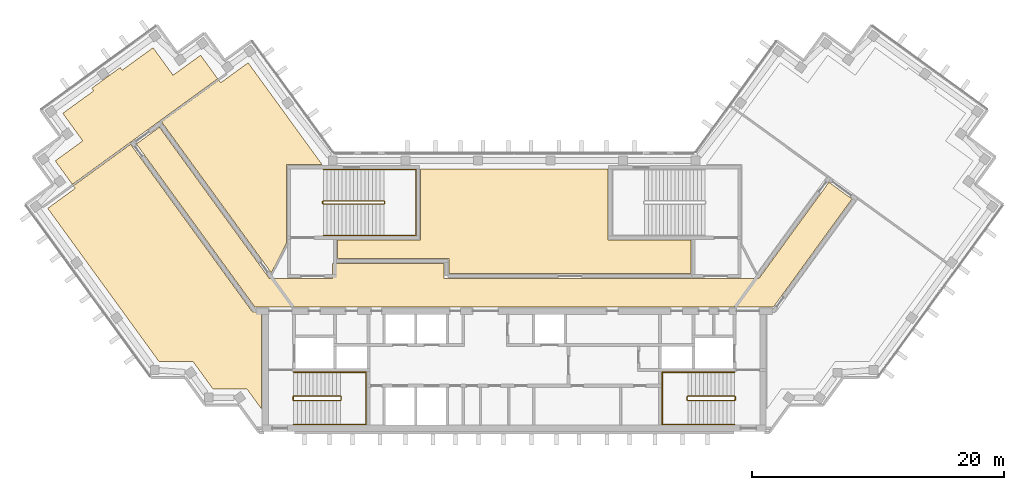
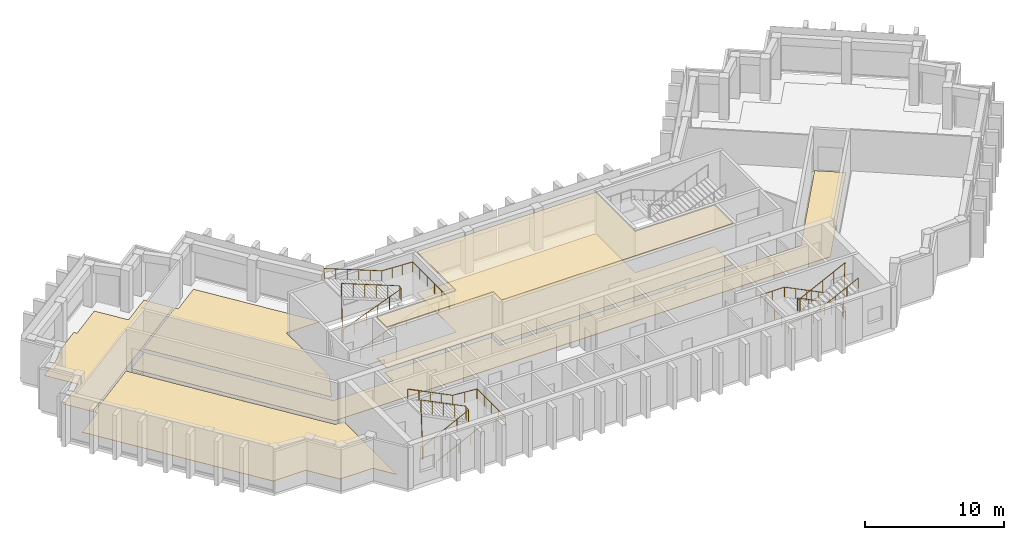
# One storey, part 8 of 9: 6 coverings, 6 railings.
"""IFC4 building model written with IfcOpenShell, lengths in metres."""

from ifc_helpers import new_model, si_unit, direction, frame, origin, origin_2d, place, context, subcontext, project, spatial, polyline, circle, outline, extrude, material, layer, layer_set, type_object, element, save


model = new_model("IFC4")

# Units and contexts
model_context = context("Model", 3, precision=1e-05, world=origin(), true_north=direction((0.0, 1.0)))
body_context = subcontext(model_context, "Body", "Model", "MODEL_VIEW")
ifc_project = project(units=[si_unit("LENGTHUNIT", "METRE"), si_unit("AREAUNIT", "SQUARE_METRE"), si_unit("VOLUMEUNIT", "CUBIC_METRE"), si_unit("PLANEANGLEUNIT", "RADIAN"), si_unit("MASSUNIT", "GRAM", prefix="KILO")], contexts=[model_context])

# Site, building, storey
site_placement = place(None, origin())
site = spatial("IfcSite", under=ifc_project, at=site_placement, CompositionType="ELEMENT")
building_placement = place(site_placement, origin())
building = spatial("IfcBuilding", under=site, at=building_placement, Name="Quipu Civic Tower", CompositionType="ELEMENT")
storey_placement = place(building_placement, frame((0.0, 0.0, 307.0)))
storey = spatial("IfcBuildingStorey", under=building, at=storey_placement, Name="L71", CompositionType="ELEMENT", Elevation=307.0)

# Coverings
ifc_material_1 = material(Name="Mineral fibre acoustic ceiling tile")
ifc_layer_1 = layer(ifc_material_1, 0.0400390625)
ifc_layer_set_1 = layer_set([ifc_layer_1], Name="Mineral fibre acoustic ceiling tile")
covering_type_1 = type_object("IfcCoveringType", Name="Acoustic ceiling tile 600 x 600", PredefinedType="CEILING", material=ifc_layer_set_1)
covering_1_placement = place(storey_placement, frame((0.0, 0.0, 3.610107421875)))
element("IfcCovering", 1, at=covering_1_placement, inside=storey, type_object=covering_type_1, Name="Acoustic ceiling tile 600 x 600", PredefinedType="CEILING", context=body_context, shape_type="SweptSolid", body=[
    extrude(outline(polyline([(-14.030029296875, 2.719970703125), (-14.030029296875, 4.179931640625), (-7.430908203125, 4.180908203125), (-7.429931640625, 9.830078125), (7.429931640625, 9.830078125), (7.430908203125, 4.179931640625), (14.030029296875, 4.179931640625), (14.030029296875, 1.52001953125), (-5.179931640625, 1.52001953125), (-5.181884765625, 2.719970703125), (-14.030029296875, 2.719970703125)])), origin(), (0.0, 0.0, 1.0), 0.039794921875),
])
ifc_material_2 = material(Name="Carpet tile on raised access floor")
ifc_layer_2 = layer(ifc_material_2, 0.02001953125)
ifc_layer_set_2 = layer_set([ifc_layer_2], Name="Carpet tile on raised access floor")
covering_type_2 = type_object("IfcCoveringType", Name="Carpet tile floor finish 20", PredefinedType="FLOORING", material=ifc_layer_set_2)
covering_2_placement = place(storey_placement, origin())
element("IfcCovering", 2, at=covering_2_placement, inside=storey, type_object=covering_type_2, Name="Carpet tile floor finish 20", PredefinedType="FLOORING", context=body_context, shape_type="SweptSolid", body=[
    extrude(outline(polyline([(-14.030029296875, 2.719970703125), (-14.030029296875, 4.179931640625), (-7.430908203125, 4.180908203125), (-7.429931640625, 9.830078125), (7.429931640625, 9.830078125), (7.430908203125, 4.179931640625), (14.030029296875, 4.179931640625), (14.030029296875, 1.52001953125), (-5.179931640625, 1.52001953125), (-5.181884765625, 2.719970703125), (-14.030029296875, 2.719970703125)])), origin(), (0.0, 0.0, 1.0), 0.02001953125),
])
covering_3_placement = place(storey_placement, origin())
element("IfcCovering", 3, at=covering_3_placement, inside=storey, type_object=covering_type_2, Name="Carpet tile floor finish 20", PredefinedType="FLOORING", context=body_context, shape_type="SweptSolid", body=[
    extrude(outline(polyline([(-27.987060546875, 13.5791015625), (-23.447998046875, 16.876953125), (-23.299072265625, 16.676025390625), (-21.115966796875, 18.260986328125), (-15.238037109375, 10.169921875), (-18.070068359375, 10.1689453125), (-18.070068359375, 3.94189453125), (-19.27197265625, 1.583984375), (-27.987060546875, 13.5791015625)])), origin(), (0.0, 0.0, 1.0), 0.02001953125),
])
covering_4_placement = place(storey_placement, origin())
element("IfcCovering", 4, at=covering_4_placement, inside=storey, type_object=covering_type_2, Name="Carpet tile floor finish 20", PredefinedType="FLOORING", context=body_context, shape_type="SweptSolid", body=[
    extrude(outline(polyline([(-36.425048828125, 10.47705078125), (-34.240966796875, 12.06396484375), (-35.826904296875, 14.248046875), (-33.3701171875, 16.032958984375), (-33.52197265625, 16.2451171875), (-31.27099609375, 17.8798828125), (-31.116943359375, 17.6708984375), (-28.658935546875, 19.455078125), (-27.073974609375, 17.27197265625), (-24.888916015625, 18.85791015625), (-23.531005859375, 16.989013671875), (-35.068115234375, 8.60791015625), (-36.425048828125, 10.47705078125)])), origin(), (0.0, 0.0, 1.0), 0.02001953125),
])
ifc_material_3 = material(Name="Ceramic floor tile")
ifc_layer_3 = layer(ifc_material_3, 0.030029296875)
ifc_layer_set_3 = layer_set([ifc_layer_3], Name="Ceramic floor tile")
covering_type_3 = type_object("IfcCoveringType", Name="Ceramic tile floor finish 30", PredefinedType="FLOORING", material=ifc_layer_set_3)
covering_5_placement = place(storey_placement, origin())
element("IfcCovering", 5, at=covering_5_placement, inside=storey, type_object=covering_type_3, Name="Ceramic tile floor finish 30", PredefinedType="FLOORING", context=body_context, shape_type="SweptSolid", body=[
    extrude(outline(polyline([(-37.02197265625, 6.7060546875), (-34.839111328125, 8.291015625), (-34.985107421875, 8.493896484375), (-30.446044921875, 11.7919921875), (-20.77490234375, -1.51904296875), (-20.070068359375, -1.52001953125), (-20.070068359375, -9.195068359375), (-21.196044921875, -7.64599609375), (-23.89501953125, -7.64599609375), (-25.48193359375, -5.4619140625), (-28.181884765625, -5.4609375), (-37.02197265625, 6.7060546875)])), origin(), (0.0, 0.0, 1.0), 0.030029296875),
])

# Railings
ifc_material_4 = material(Name="Stainless steel", Category="steel")
railing_type_1 = type_object("IfcRailingType", Name="Stair guard 1100", PredefinedType="GUARDRAIL", material=ifc_material_4)
railing_1_placement = place(storey_placement, frame((-17.5, -8.550048828125, 0.15380859375)))
element("IfcRailing", 6, at=railing_1_placement, inside=storey, type_object=railing_type_1, Name="Stair 1 guard", PredefinedType="GUARDRAIL", context=body_context, shape_type="SweptSolid", body=[
    extrude(circle(Radius=0.02392578125, at=origin_2d()), frame((0.0, 0.0, 1.076171875), z_axis=(0.895751851347, 0.0, 0.444554407028), x_axis=(0.0, 1.0, 0.0)), (0.0, 0.0, 1.0), 4.15283203125),
    extrude(circle(Radius=0.02392578125, at=origin_2d()), frame((3.719970703125, 0.0, 2.92236328125), z_axis=(0.707106781187, 0.707106781187, 0.0), x_axis=(-0.707106781187, 0.707106781187, 0.0)), (0.0, 0.0, 1.0), 0.07080078125),
    extrude(circle(Radius=0.02392578125, at=origin_2d()), frame((3.77001953125, 0.050048828125, 2.92236328125), z_axis=(0.0, 1.0, 0.0), x_axis=(-1.0, 0.0, 0.0)), (0.0, 0.0, 1.0), 0.25),
    extrude(circle(Radius=0.02392578125, at=origin_2d()), frame((3.77001953125, 0.300048828125, 2.92236328125), z_axis=(-0.295599637079, 0.295599637079, 0.908428152975), x_axis=(-0.707106781187, -0.707106781187, 0.0)), (0.0, 0.0, 1.0), 0.16943359375),
    extrude(circle(Radius=0.02392578125, at=origin_2d()), frame((3.719970703125, 0.35009765625, 3.076171875), z_axis=(-0.895751851347, 0.0, 0.444554407028), x_axis=(0.0, -1.0, 0.0)), (0.0, 0.0, 1.0), 4.15283203125),
    extrude(circle(Radius=0.02392578125, at=origin_2d()), frame((0.0, 0.35009765625, 4.92236328125), z_axis=(-0.012476181752, -0.074796231092, -0.997120789425), x_axis=(0.986372223864, -0.164529134168, 0.0)), (0.0, 0.0, 1.0), 4.011474609375),
    extrude(circle(Radius=0.02392578125, at=origin_2d()), frame((-0.050048828125, 0.050048828125, 0.92236328125), z_axis=(0.0, 1.0, 0.0), x_axis=(-1.0, 0.0, 0.0)), (0.0, 0.0, 1.0), 0.25),
    extrude(circle(Radius=0.02099609375, at=origin_2d()), origin(), (0.0, 0.0, 1.0), 1.052001953125),
    extrude(circle(Radius=0.02099609375, at=origin_2d()), frame((0.929931640625, 0.0, 0.46142578125)), (0.0, 0.0, 1.0), 1.052001953125),
    extrude(circle(Radius=0.02099609375, at=origin_2d()), frame((1.85986328125, 0.0, 0.923095703125)), (0.0, 0.0, 1.0), 1.052001953125),
    extrude(circle(Radius=0.02099609375, at=origin_2d()), frame((2.7900390625, 0.0, 1.384765625)), (0.0, 0.0, 1.0), 1.052001953125),
    extrude(circle(Radius=0.02099609375, at=origin_2d()), frame((3.719970703125, 0.0, 1.84619140625)), (0.0, 0.0, 1.0), 1.052001953125),
    extrude(circle(Radius=0.02099609375, at=origin_2d()), frame((3.77001953125, 0.050048828125, 1.84619140625)), (0.0, 0.0, 1.0), 1.052001953125),
    extrude(circle(Radius=0.02099609375, at=origin_2d()), frame((3.77001953125, 0.300048828125, 1.84619140625)), (0.0, 0.0, 1.0), 1.052001953125),
    extrude(circle(Radius=0.02099609375, at=origin_2d()), frame((3.719970703125, 0.35009765625, 2.0)), (0.0, 0.0, 1.0), 1.052001953125),
    extrude(circle(Radius=0.02099609375, at=origin_2d()), frame((2.7900390625, 0.35009765625, 2.46142578125)), (0.0, 0.0, 1.0), 1.052001953125),
    extrude(circle(Radius=0.02099609375, at=origin_2d()), frame((1.85986328125, 0.35009765625, 2.923095703125)), (0.0, 0.0, 1.0), 1.052001953125),
    extrude(circle(Radius=0.02099609375, at=origin_2d()), frame((0.929931640625, 0.35009765625, 3.384765625)), (0.0, 0.0, 1.0), 1.052001953125),
    extrude(circle(Radius=0.02099609375, at=origin_2d()), frame((0.0, 0.35009765625, 3.84619140625)), (0.0, 0.0, 1.0), 1.052001953125),
    extrude(circle(Radius=0.02099609375, at=origin_2d()), frame((-0.012451171875, 0.275146484375, 2.84619140625)), (0.0, 0.0, 1.0), 1.052001953125),
    extrude(circle(Radius=0.02099609375, at=origin_2d()), frame((-0.02490234375, 0.2001953125, 1.84619140625)), (0.0, 0.0, 1.0), 1.052001953125),
    extrude(circle(Radius=0.02099609375, at=origin_2d()), frame((-0.03759765625, 0.125, 0.84619140625)), (0.0, 0.0, 1.0), 1.052001953125),
    extrude(circle(Radius=0.02099609375, at=origin_2d()), frame((-0.050048828125, 0.050048828125, -0.15380859375)), (0.0, 0.0, 1.0), 1.052001953125),
    extrude(circle(Radius=0.02099609375, at=origin_2d()), frame((-0.050048828125, 0.300048828125, -0.15380859375)), (0.0, 0.0, 1.0), 1.052001953125),
])
railing_2_placement = place(storey_placement, frame((17.5, -8.199951171875, 0.15380859375)))
element("IfcRailing", 7, at=railing_2_placement, inside=storey, type_object=railing_type_1, Name="Stair 2 guard", PredefinedType="GUARDRAIL", context=body_context, shape_type="SweptSolid", body=[
    extrude(circle(Radius=0.02392578125, at=origin_2d()), frame((0.0, 0.0, 1.076171875), z_axis=(-0.895751851347, 0.0, 0.444554407028), x_axis=(0.0, -1.0, 0.0)), (0.0, 0.0, 1.0), 4.15283203125),
    extrude(circle(Radius=0.02392578125, at=origin_2d()), frame((-3.719970703125, 0.0, 2.92236328125), z_axis=(-0.707106781187, -0.707106781187, 0.0), x_axis=(0.707106781187, -0.707106781187, 0.0)), (0.0, 0.0, 1.0), 0.07080078125),
    extrude(circle(Radius=0.02392578125, at=origin_2d()), frame((-3.77001953125, -0.050048828125, 2.92236328125), z_axis=(0.0, -1.0, 0.0), x_axis=(1.0, 0.0, 0.0)), (0.0, 0.0, 1.0), 0.25),
    extrude(circle(Radius=0.02392578125, at=origin_2d()), frame((-3.77001953125, -0.300048828125, 2.92236328125), z_axis=(0.295599637079, -0.295599637079, 0.908428152975), x_axis=(0.707106781187, 0.707106781187, 0.0)), (0.0, 0.0, 1.0), 0.16943359375),
    extrude(circle(Radius=0.02392578125, at=origin_2d()), frame((-3.719970703125, -0.35009765625, 3.076171875), z_axis=(0.895751851347, 0.0, 0.444554407028), x_axis=(0.0, 1.0, 0.0)), (0.0, 0.0, 1.0), 4.15283203125),
    extrude(circle(Radius=0.02392578125, at=origin_2d()), frame((0.0, -0.35009765625, 4.92236328125), z_axis=(0.012476181752, 0.074796231092, -0.997120789425), x_axis=(-0.986372223864, 0.164529134168, 0.0)), (0.0, 0.0, 1.0), 4.011474609375),
    extrude(circle(Radius=0.02392578125, at=origin_2d()), frame((0.050048828125, -0.050048828125, 0.92236328125), z_axis=(0.0, -1.0, 0.0), x_axis=(1.0, 0.0, 0.0)), (0.0, 0.0, 1.0), 0.25),
    extrude(circle(Radius=0.02099609375, at=origin_2d()), origin(), (0.0, 0.0, 1.0), 1.052001953125),
    extrude(circle(Radius=0.02099609375, at=origin_2d()), frame((-0.929931640625, 0.0, 0.46142578125)), (0.0, 0.0, 1.0), 1.052001953125),
    extrude(circle(Radius=0.02099609375, at=origin_2d()), frame((-1.85986328125, 0.0, 0.923095703125)), (0.0, 0.0, 1.0), 1.052001953125),
    extrude(circle(Radius=0.02099609375, at=origin_2d()), frame((-2.7900390625, 0.0, 1.384765625)), (0.0, 0.0, 1.0), 1.052001953125),
    extrude(circle(Radius=0.02099609375, at=origin_2d()), frame((-3.719970703125, 0.0, 1.84619140625)), (0.0, 0.0, 1.0), 1.052001953125),
    extrude(circle(Radius=0.02099609375, at=origin_2d()), frame((-3.77001953125, -0.050048828125, 1.84619140625)), (0.0, 0.0, 1.0), 1.052001953125),
    extrude(circle(Radius=0.02099609375, at=origin_2d()), frame((-3.77001953125, -0.300048828125, 1.84619140625)), (0.0, 0.0, 1.0), 1.052001953125),
    extrude(circle(Radius=0.02099609375, at=origin_2d()), frame((-3.719970703125, -0.35009765625, 2.0)), (0.0, 0.0, 1.0), 1.052001953125),
    extrude(circle(Radius=0.02099609375, at=origin_2d()), frame((-2.7900390625, -0.35009765625, 2.46142578125)), (0.0, 0.0, 1.0), 1.052001953125),
    extrude(circle(Radius=0.02099609375, at=origin_2d()), frame((-1.85986328125, -0.35009765625, 2.923095703125)), (0.0, 0.0, 1.0), 1.052001953125),
    extrude(circle(Radius=0.02099609375, at=origin_2d()), frame((-0.929931640625, -0.35009765625, 3.384765625)), (0.0, 0.0, 1.0), 1.052001953125),
    extrude(circle(Radius=0.02099609375, at=origin_2d()), frame((0.0, -0.35009765625, 3.84619140625)), (0.0, 0.0, 1.0), 1.052001953125),
    extrude(circle(Radius=0.02099609375, at=origin_2d()), frame((0.012451171875, -0.275146484375, 2.84619140625)), (0.0, 0.0, 1.0), 1.052001953125),
    extrude(circle(Radius=0.02099609375, at=origin_2d()), frame((0.02490234375, -0.2001953125, 1.84619140625)), (0.0, 0.0, 1.0), 1.052001953125),
    extrude(circle(Radius=0.02099609375, at=origin_2d()), frame((0.03759765625, -0.125, 0.84619140625)), (0.0, 0.0, 1.0), 1.052001953125),
    extrude(circle(Radius=0.02099609375, at=origin_2d()), frame((0.050048828125, -0.050048828125, -0.15380859375)), (0.0, 0.0, 1.0), 1.052001953125),
    extrude(circle(Radius=0.02099609375, at=origin_2d()), frame((0.050048828125, -0.300048828125, -0.15380859375)), (0.0, 0.0, 1.0), 1.052001953125),
])
railing_3_placement = place(storey_placement, frame((-15.14990234375, 7.050048828125, 0.11767578125)))
element("IfcRailing", 8, at=railing_3_placement, inside=storey, type_object=railing_type_1, Name="Stair 3 guard", PredefinedType="GUARDRAIL", context=body_context, shape_type="SweptSolid", body=[
    extrude(circle(Radius=0.02392578125, at=origin_2d()), frame((0.0, 0.0, 1.076171875), z_axis=(0.930970042603, 0.0, 0.365095576219), x_axis=(0.0, 1.0, 0.0)), (0.0, 0.0, 1.0), 5.15576171875),
    extrude(circle(Radius=0.02392578125, at=origin_2d()), frame((4.7998046875, 0.0, 2.95849609375), z_axis=(0.707106781187, 0.707106781187, 0.0), x_axis=(-0.707106781187, 0.707106781187, 0.0)), (0.0, 0.0, 1.0), 0.07080078125),
    extrude(circle(Radius=0.02392578125, at=origin_2d()), frame((4.849853515625, 0.050048828125, 2.95849609375), z_axis=(0.0, 1.0, 0.0), x_axis=(-1.0, 0.0, 0.0)), (0.0, 0.0, 1.0), 0.14990234375),
    extrude(circle(Radius=0.02392578125, at=origin_2d()), frame((4.849853515625, 0.199951171875, 2.95849609375), z_axis=(-0.364463019033, 0.364463019033, 0.856932561824), x_axis=(-0.707106781187, -0.707106781187, 0.0)), (0.0, 0.0, 1.0), 0.13720703125),
    extrude(circle(Radius=0.02392578125, at=origin_2d()), frame((4.7998046875, 0.25, 3.076171875), z_axis=(-0.930970042603, 0.0, 0.365095576219), x_axis=(0.0, -1.0, 0.0)), (0.0, 0.0, 1.0), 5.15576171875),
    extrude(circle(Radius=0.02392578125, at=origin_2d()), frame((0.0, 0.25, 4.95849609375), z_axis=(-0.012495627992, -0.049921557685, -0.998674970829), x_axis=(0.970072785993, -0.242814311512, 0.0)), (0.0, 0.0, 1.0), 4.00537109375),
    extrude(circle(Radius=0.02392578125, at=origin_2d()), frame((-0.050048828125, 0.050048828125, 0.95849609375), z_axis=(0.0, 1.0, 0.0), x_axis=(-1.0, 0.0, 0.0)), (0.0, 0.0, 1.0), 0.14990234375),
    extrude(circle(Radius=0.02099609375, at=origin_2d()), origin(), (0.0, 0.0, 1.0), 1.052001953125),
    extrude(circle(Radius=0.02099609375, at=origin_2d()), frame((0.9599609375, 0.0, 0.37646484375)), (0.0, 0.0, 1.0), 1.052001953125),
    extrude(circle(Radius=0.02099609375, at=origin_2d()), frame((1.919921875, 0.0, 0.7529296875)), (0.0, 0.0, 1.0), 1.052001953125),
    extrude(circle(Radius=0.02099609375, at=origin_2d()), frame((2.8798828125, 0.0, 1.12939453125)), (0.0, 0.0, 1.0), 1.052001953125),
    extrude(circle(Radius=0.02099609375, at=origin_2d()), frame((3.83984375, 0.0, 1.505859375)), (0.0, 0.0, 1.0), 1.052001953125),
    extrude(circle(Radius=0.02099609375, at=origin_2d()), frame((4.7998046875, 0.0, 1.88232421875)), (0.0, 0.0, 1.0), 1.052001953125),
    extrude(circle(Radius=0.02099609375, at=origin_2d()), frame((4.849853515625, 0.050048828125, 1.88232421875)), (0.0, 0.0, 1.0), 1.052001953125),
    extrude(circle(Radius=0.02099609375, at=origin_2d()), frame((4.849853515625, 0.199951171875, 1.88232421875)), (0.0, 0.0, 1.0), 1.052001953125),
    extrude(circle(Radius=0.02099609375, at=origin_2d()), frame((4.7998046875, 0.25, 2.0)), (0.0, 0.0, 1.0), 1.052001953125),
    extrude(circle(Radius=0.02099609375, at=origin_2d()), frame((3.83984375, 0.25, 2.37646484375)), (0.0, 0.0, 1.0), 1.052001953125),
    extrude(circle(Radius=0.02099609375, at=origin_2d()), frame((2.8798828125, 0.25, 2.7529296875)), (0.0, 0.0, 1.0), 1.052001953125),
    extrude(circle(Radius=0.02099609375, at=origin_2d()), frame((1.919921875, 0.25, 3.12939453125)), (0.0, 0.0, 1.0), 1.052001953125),
    extrude(circle(Radius=0.02099609375, at=origin_2d()), frame((0.9599609375, 0.25, 3.505859375)), (0.0, 0.0, 1.0), 1.052001953125),
    extrude(circle(Radius=0.02099609375, at=origin_2d()), frame((0.0, 0.25, 3.88232421875)), (0.0, 0.0, 1.0), 1.052001953125),
    extrude(circle(Radius=0.02099609375, at=origin_2d()), frame((-0.012451171875, 0.199951171875, 2.88232421875)), (0.0, 0.0, 1.0), 1.052001953125),
    extrude(circle(Radius=0.02099609375, at=origin_2d()), frame((-0.02490234375, 0.14990234375, 1.88232421875)), (0.0, 0.0, 1.0), 1.052001953125),
    extrude(circle(Radius=0.02099609375, at=origin_2d()), frame((-0.03759765625, 0.10009765625, 0.88232421875)), (0.0, 0.0, 1.0), 1.052001953125),
    extrude(circle(Radius=0.02099609375, at=origin_2d()), frame((-0.050048828125, 0.050048828125, -0.11767578125)), (0.0, 0.0, 1.0), 1.052001953125),
    extrude(circle(Radius=0.02099609375, at=origin_2d()), frame((-0.050048828125, 0.199951171875, -0.11767578125)), (0.0, 0.0, 1.0), 1.052001953125),
])
ifc_material_5 = material(Name="Stainless steel", Category="steel")
railing_type_2 = type_object("IfcRailingType", Name="Stair handrail", PredefinedType="HANDRAIL", material=ifc_material_5)
railing_4_placement = place(storey_placement, frame((-17.5, -10.449951171875, 0.15380859375)))
element("IfcRailing", 9, at=railing_4_placement, inside=storey, type_object=railing_type_2, Name="Stair 1 handrail", PredefinedType="HANDRAIL", context=body_context, shape_type="SweptSolid", body=[
    extrude(circle(Radius=0.02392578125, at=origin_2d()), frame((0.0, 0.0, 0.8759765625), z_axis=(0.895751851347, 0.0, 0.444554407028), x_axis=(0.0, 1.0, 0.0)), (0.0, 0.0, 1.0), 4.15283203125),
    extrude(circle(Radius=0.02392578125, at=origin_2d()), frame((3.719970703125, 0.0, 2.72216796875), z_axis=(1.0, 0.0, 0.0), x_axis=(0.0, 1.0, 0.0)), (0.0, 0.0, 1.0), 2.030029296875),
    extrude(circle(Radius=0.02392578125, at=origin_2d()), frame((5.75, 0.0, 2.72216796875), z_axis=(0.0, 1.0, 0.0), x_axis=(-1.0, 0.0, 0.0)), (0.0, 0.0, 1.0), 4.14990234375),
    extrude(circle(Radius=0.02392578125, at=origin_2d()), frame((5.75, 4.14990234375, 2.72216796875), z_axis=(-0.997142003663, 0.0, 0.075550145798), x_axis=(0.0, -1.0, 0.0)), (0.0, 0.0, 1.0), 2.035888671875),
    extrude(circle(Radius=0.02392578125, at=origin_2d()), frame((3.719970703125, 4.14990234375, 2.8759765625), z_axis=(-0.895751851347, 0.0, 0.444554407028), x_axis=(0.0, -1.0, 0.0)), (0.0, 0.0, 1.0), 4.15283203125),
    extrude(circle(Radius=0.02099609375, at=origin_2d()), origin(), (0.0, 0.0, 1.0), 0.851806640625),
    extrude(circle(Radius=0.02099609375, at=origin_2d()), frame((0.929931640625, 0.0, 0.46142578125)), (0.0, 0.0, 1.0), 0.851806640625),
    extrude(circle(Radius=0.02099609375, at=origin_2d()), frame((1.85986328125, 0.0, 0.923095703125)), (0.0, 0.0, 1.0), 0.851806640625),
    extrude(circle(Radius=0.02099609375, at=origin_2d()), frame((2.7900390625, 0.0, 1.384765625)), (0.0, 0.0, 1.0), 0.851806640625),
    extrude(circle(Radius=0.02099609375, at=origin_2d()), frame((3.719970703125, 0.0, 1.84619140625)), (0.0, 0.0, 1.0), 0.851806640625),
    extrude(circle(Radius=0.02099609375, at=origin_2d()), frame((4.73486328125, 0.0, 1.84619140625)), (0.0, 0.0, 1.0), 0.851806640625),
    extrude(circle(Radius=0.02099609375, at=origin_2d()), frame((5.75, 0.0, 1.84619140625)), (0.0, 0.0, 1.0), 0.851806640625),
    extrude(circle(Radius=0.02099609375, at=origin_2d()), frame((5.75, 1.03759765625, 1.84619140625)), (0.0, 0.0, 1.0), 0.851806640625),
    extrude(circle(Radius=0.02099609375, at=origin_2d()), frame((5.75, 2.074951171875, 1.84619140625)), (0.0, 0.0, 1.0), 0.851806640625),
    extrude(circle(Radius=0.02099609375, at=origin_2d()), frame((5.75, 3.1123046875, 1.84619140625)), (0.0, 0.0, 1.0), 0.851806640625),
    extrude(circle(Radius=0.02099609375, at=origin_2d()), frame((5.75, 4.14990234375, 1.84619140625)), (0.0, 0.0, 1.0), 0.851806640625),
    extrude(circle(Radius=0.02099609375, at=origin_2d()), frame((4.73486328125, 4.14990234375, 1.923095703125)), (0.0, 0.0, 1.0), 0.851806640625),
    extrude(circle(Radius=0.02099609375, at=origin_2d()), frame((3.719970703125, 4.14990234375, 2.0)), (0.0, 0.0, 1.0), 0.851806640625),
    extrude(circle(Radius=0.02099609375, at=origin_2d()), frame((2.7900390625, 4.14990234375, 2.46142578125)), (0.0, 0.0, 1.0), 0.851806640625),
    extrude(circle(Radius=0.02099609375, at=origin_2d()), frame((1.85986328125, 4.14990234375, 2.923095703125)), (0.0, 0.0, 1.0), 0.851806640625),
    extrude(circle(Radius=0.02099609375, at=origin_2d()), frame((0.929931640625, 4.14990234375, 3.384765625)), (0.0, 0.0, 1.0), 0.851806640625),
    extrude(circle(Radius=0.02099609375, at=origin_2d()), frame((0.0, 4.14990234375, 3.84619140625)), (0.0, 0.0, 1.0), 0.851806640625),
])
railing_5_placement = place(storey_placement, frame((17.5, -6.300048828125, 0.15380859375)))
element("IfcRailing", 10, at=railing_5_placement, inside=storey, type_object=railing_type_2, Name="Stair 2 handrail", PredefinedType="HANDRAIL", context=body_context, shape_type="SweptSolid", body=[
    extrude(circle(Radius=0.02392578125, at=origin_2d()), frame((0.0, 0.0, 0.8759765625), z_axis=(-0.895751851347, 0.0, 0.444554407028), x_axis=(0.0, -1.0, 0.0)), (0.0, 0.0, 1.0), 4.15283203125),
    extrude(circle(Radius=0.02392578125, at=origin_2d()), frame((-3.719970703125, 0.0, 2.72216796875), z_axis=(-1.0, 0.0, 0.0), x_axis=(0.0, -1.0, 0.0)), (0.0, 0.0, 1.0), 2.030029296875),
    extrude(circle(Radius=0.02392578125, at=origin_2d()), frame((-5.75, 0.0, 2.72216796875), z_axis=(0.0, -1.0, 0.0), x_axis=(1.0, 0.0, 0.0)), (0.0, 0.0, 1.0), 4.14990234375),
    extrude(circle(Radius=0.02392578125, at=origin_2d()), frame((-5.75, -4.14990234375, 2.72216796875), z_axis=(0.997142003663, 0.0, 0.075550145798), x_axis=(0.0, 1.0, 0.0)), (0.0, 0.0, 1.0), 2.035888671875),
    extrude(circle(Radius=0.02392578125, at=origin_2d()), frame((-3.719970703125, -4.14990234375, 2.8759765625), z_axis=(0.895751851347, 0.0, 0.444554407028), x_axis=(0.0, 1.0, 0.0)), (0.0, 0.0, 1.0), 4.15283203125),
    extrude(circle(Radius=0.02099609375, at=origin_2d()), origin(), (0.0, 0.0, 1.0), 0.851806640625),
    extrude(circle(Radius=0.02099609375, at=origin_2d()), frame((-0.929931640625, 0.0, 0.46142578125)), (0.0, 0.0, 1.0), 0.851806640625),
    extrude(circle(Radius=0.02099609375, at=origin_2d()), frame((-1.85986328125, 0.0, 0.923095703125)), (0.0, 0.0, 1.0), 0.851806640625),
    extrude(circle(Radius=0.02099609375, at=origin_2d()), frame((-2.7900390625, 0.0, 1.384765625)), (0.0, 0.0, 1.0), 0.851806640625),
    extrude(circle(Radius=0.02099609375, at=origin_2d()), frame((-3.719970703125, 0.0, 1.84619140625)), (0.0, 0.0, 1.0), 0.851806640625),
    extrude(circle(Radius=0.02099609375, at=origin_2d()), frame((-4.73486328125, 0.0, 1.84619140625)), (0.0, 0.0, 1.0), 0.851806640625),
    extrude(circle(Radius=0.02099609375, at=origin_2d()), frame((-5.75, 0.0, 1.84619140625)), (0.0, 0.0, 1.0), 0.851806640625),
    extrude(circle(Radius=0.02099609375, at=origin_2d()), frame((-5.75, -1.03759765625, 1.84619140625)), (0.0, 0.0, 1.0), 0.851806640625),
    extrude(circle(Radius=0.02099609375, at=origin_2d()), frame((-5.75, -2.074951171875, 1.84619140625)), (0.0, 0.0, 1.0), 0.851806640625),
    extrude(circle(Radius=0.02099609375, at=origin_2d()), frame((-5.75, -3.1123046875, 1.84619140625)), (0.0, 0.0, 1.0), 0.851806640625),
    extrude(circle(Radius=0.02099609375, at=origin_2d()), frame((-5.75, -4.14990234375, 1.84619140625)), (0.0, 0.0, 1.0), 0.851806640625),
    extrude(circle(Radius=0.02099609375, at=origin_2d()), frame((-4.73486328125, -4.14990234375, 1.923095703125)), (0.0, 0.0, 1.0), 0.851806640625),
    extrude(circle(Radius=0.02099609375, at=origin_2d()), frame((-3.719970703125, -4.14990234375, 2.0)), (0.0, 0.0, 1.0), 0.851806640625),
    extrude(circle(Radius=0.02099609375, at=origin_2d()), frame((-2.7900390625, -4.14990234375, 2.46142578125)), (0.0, 0.0, 1.0), 0.851806640625),
    extrude(circle(Radius=0.02099609375, at=origin_2d()), frame((-1.85986328125, -4.14990234375, 2.923095703125)), (0.0, 0.0, 1.0), 0.851806640625),
    extrude(circle(Radius=0.02099609375, at=origin_2d()), frame((-0.929931640625, -4.14990234375, 3.384765625)), (0.0, 0.0, 1.0), 0.851806640625),
    extrude(circle(Radius=0.02099609375, at=origin_2d()), frame((0.0, -4.14990234375, 3.84619140625)), (0.0, 0.0, 1.0), 0.851806640625),
])
railing_6_placement = place(storey_placement, frame((-15.14990234375, 4.550048828125, 0.11767578125)))
element("IfcRailing", 11, at=railing_6_placement, inside=storey, type_object=railing_type_2, Name="Stair 3 handrail", PredefinedType="HANDRAIL", context=body_context, shape_type="SweptSolid", body=[
    extrude(circle(Radius=0.02392578125, at=origin_2d()), frame((0.0, 0.0, 0.8759765625), z_axis=(0.930970042603, 0.0, 0.365095576219), x_axis=(0.0, 1.0, 0.0)), (0.0, 0.0, 1.0), 5.15576171875),
    extrude(circle(Radius=0.02392578125, at=origin_2d()), frame((4.7998046875, 0.0, 2.75830078125), z_axis=(1.0, 0.0, 0.0), x_axis=(0.0, 1.0, 0.0)), (0.0, 0.0, 1.0), 2.550048828125),
    extrude(circle(Radius=0.02392578125, at=origin_2d()), frame((7.349853515625, 0.0, 2.75830078125), z_axis=(0.0, 1.0, 0.0), x_axis=(-1.0, 0.0, 0.0)), (0.0, 0.0, 1.0), 5.25),
    extrude(circle(Radius=0.02392578125, at=origin_2d()), frame((7.349853515625, 5.25, 2.75830078125), z_axis=(-0.998936948642, 0.0, 0.04609742549), x_axis=(0.0, -1.0, 0.0)), (0.0, 0.0, 1.0), 2.552734375),
    extrude(circle(Radius=0.02392578125, at=origin_2d()), frame((4.7998046875, 5.25, 2.8759765625), z_axis=(-0.930970042603, 0.0, 0.365095576219), x_axis=(0.0, -1.0, 0.0)), (0.0, 0.0, 1.0), 5.15576171875),
    extrude(circle(Radius=0.02099609375, at=origin_2d()), origin(), (0.0, 0.0, 1.0), 0.851806640625),
    extrude(circle(Radius=0.02099609375, at=origin_2d()), frame((0.9599609375, 0.0, 0.37646484375)), (0.0, 0.0, 1.0), 0.851806640625),
    extrude(circle(Radius=0.02099609375, at=origin_2d()), frame((1.919921875, 0.0, 0.7529296875)), (0.0, 0.0, 1.0), 0.851806640625),
    extrude(circle(Radius=0.02099609375, at=origin_2d()), frame((2.8798828125, 0.0, 1.12939453125)), (0.0, 0.0, 1.0), 0.851806640625),
    extrude(circle(Radius=0.02099609375, at=origin_2d()), frame((3.83984375, 0.0, 1.505859375)), (0.0, 0.0, 1.0), 0.851806640625),
    extrude(circle(Radius=0.02099609375, at=origin_2d()), frame((4.7998046875, 0.0, 1.88232421875)), (0.0, 0.0, 1.0), 0.851806640625),
    extrude(circle(Radius=0.02099609375, at=origin_2d()), frame((5.64990234375, 0.0, 1.88232421875)), (0.0, 0.0, 1.0), 0.851806640625),
    extrude(circle(Radius=0.02099609375, at=origin_2d()), frame((6.499755859375, 0.0, 1.88232421875)), (0.0, 0.0, 1.0), 0.851806640625),
    extrude(circle(Radius=0.02099609375, at=origin_2d()), frame((7.349853515625, 0.0, 1.88232421875)), (0.0, 0.0, 1.0), 0.851806640625),
    extrude(circle(Radius=0.02099609375, at=origin_2d()), frame((7.349853515625, 1.050048828125, 1.88232421875)), (0.0, 0.0, 1.0), 0.851806640625),
    extrude(circle(Radius=0.02099609375, at=origin_2d()), frame((7.349853515625, 2.10009765625, 1.88232421875)), (0.0, 0.0, 1.0), 0.851806640625),
    extrude(circle(Radius=0.02099609375, at=origin_2d()), frame((7.349853515625, 3.14990234375, 1.88232421875)), (0.0, 0.0, 1.0), 0.851806640625),
    extrude(circle(Radius=0.02099609375, at=origin_2d()), frame((7.349853515625, 4.199951171875, 1.88232421875)), (0.0, 0.0, 1.0), 0.851806640625),
    extrude(circle(Radius=0.02099609375, at=origin_2d()), frame((7.349853515625, 5.25, 1.88232421875)), (0.0, 0.0, 1.0), 0.851806640625),
    extrude(circle(Radius=0.02099609375, at=origin_2d()), frame((6.499755859375, 5.25, 1.921630859375)), (0.0, 0.0, 1.0), 0.851806640625),
    extrude(circle(Radius=0.02099609375, at=origin_2d()), frame((5.64990234375, 5.25, 1.960693359375)), (0.0, 0.0, 1.0), 0.851806640625),
    extrude(circle(Radius=0.02099609375, at=origin_2d()), frame((4.7998046875, 5.25, 2.0)), (0.0, 0.0, 1.0), 0.851806640625),
    extrude(circle(Radius=0.02099609375, at=origin_2d()), frame((3.83984375, 5.25, 2.37646484375)), (0.0, 0.0, 1.0), 0.851806640625),
    extrude(circle(Radius=0.02099609375, at=origin_2d()), frame((2.8798828125, 5.25, 2.7529296875)), (0.0, 0.0, 1.0), 0.851806640625),
    extrude(circle(Radius=0.02099609375, at=origin_2d()), frame((1.919921875, 5.25, 3.12939453125)), (0.0, 0.0, 1.0), 0.851806640625),
    extrude(circle(Radius=0.02099609375, at=origin_2d()), frame((0.9599609375, 5.25, 3.505859375)), (0.0, 0.0, 1.0), 0.851806640625),
    extrude(circle(Radius=0.02099609375, at=origin_2d()), frame((0.0, 5.25, 3.88232421875)), (0.0, 0.0, 1.0), 0.851806640625),
])

# Covering
ifc_material_6 = material(Name="Terrazzo floor finish")
ifc_layer_4 = layer(ifc_material_6, 0.0400390625)
ifc_layer_set_4 = layer_set([ifc_layer_4], Name="Terrazzo floor finish")
covering_type_4 = type_object("IfcCoveringType", Name="Terrazzo floor finish 40", PredefinedType="FLOORING", material=ifc_layer_set_4)
covering_6_placement = place(storey_placement, origin())
element("IfcCovering", 12, at=covering_6_placement, inside=storey, type_object=covering_type_4, Name="Terrazzo floor finish 40", PredefinedType="FLOORING", context=body_context, shape_type="SweptSolid", body=[
    extrude(outline(polyline([(19.425048828125, 1.1298828125), (24.98095703125, 8.778076171875), (26.80908203125, 7.450927734375), (20.574951171875, -1.1298828125), (-20.574951171875, -1.1298828125), (-29.98291015625, 11.819091796875), (-28.155029296875, 13.14697265625), (-19.425048828125, 1.1298828125), (-14.429931640625, 1.1298828125), (-14.429931640625, 2.330078125), (-5.570068359375, 2.330078125), (-5.570068359375, 1.1298828125), (19.425048828125, 1.1298828125)])), origin(), (0.0, 0.0, 1.0), 0.0400390625),
])

save(model, "model.ifc")
